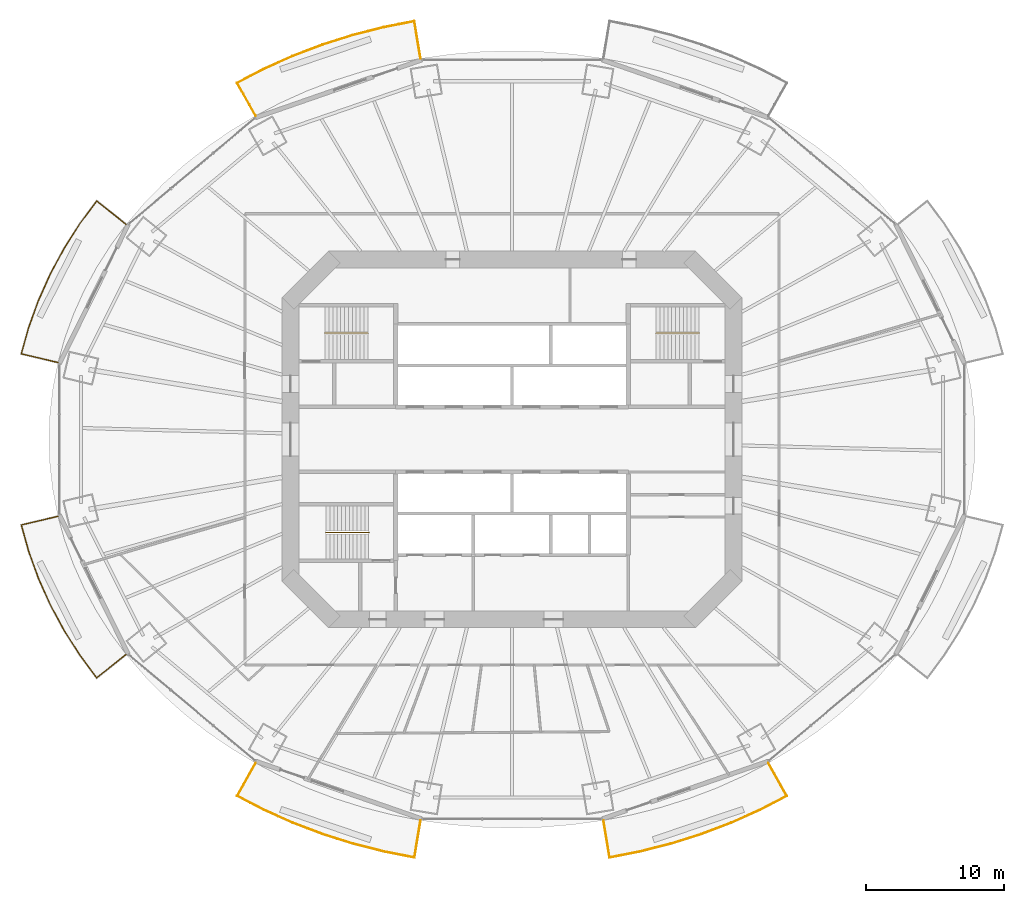
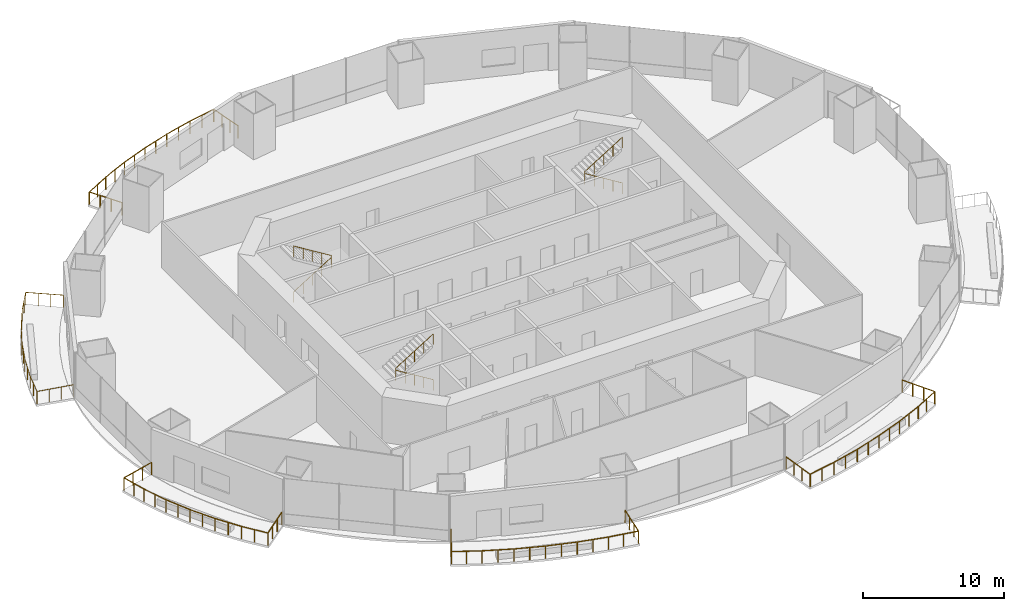
# One storey, part 16 of 18: 8 railings.
"""IFC4 building model written with IfcOpenShell, lengths in metres."""

import ifcopenshell
import ifcopenshell.guid

model = None  # the IFC model being written
_history = None  # IfcOwnerHistory: only IFC2X3 demands one
_inside = {}  # id of a spatial element -> (the spatial element, [elements in it])
_under = {}  # id of a project, library or spatial element -> (it, [spatial elements below it])
_declared = {}  # id of a project -> (the project, [libraries it declares])
_typed = {}  # id of a type object -> (the type object, [elements of that type])
_made_of = {}  # id of a material, layer set ... -> (it, [elements and type objects made of it])


def new_model(schema):
    """Start an empty IFC model of exactly this schema.

    Asked for "IFC4X3", IfcOpenShell would pick the latest addendum, in which some entities
    have other attributes; the version numbers below select the first issue.
    IFC2X3 requires an IfcOwnerHistory on every rooted entity: one is made here for all.
    """
    global model, _history
    if schema == "IFC4X3":
        model = ifcopenshell.file(schema_version=(4, 3, 0, 0))
    else:
        model = ifcopenshell.file(schema=schema)
    _inside.clear()
    _under.clear()
    _declared.clear()
    _typed.clear()
    _made_of.clear()
    _history = None
    if model.schema == "IFC2X3":
        org = make("IfcOrganization", Name="unknown")
        user = make(
            "IfcPersonAndOrganization",
            ThePerson=make("IfcPerson", FamilyName="unknown"),
            TheOrganization=org,
        )
        app = make(
            "IfcApplication",
            ApplicationDeveloper=org,
            Version="unknown",
            ApplicationFullName="unknown",
            ApplicationIdentifier="unknown",
        )
        _history = make(
            "IfcOwnerHistory",
            OwningUser=user,
            OwningApplication=app,
            ChangeAction="ADDED",
            CreationDate=0,
        )
    return model


def make(cls, **values):
    """One entity of the class cls with the attributes given. An attribute that is None is left unset."""
    return model.create_entity(
        cls, **{name: value for name, value in values.items() if value is not None}
    )


def rooted(cls, **values):
    """An entity with a GlobalId (a new one), such as an element, a storey or a relation."""
    return make(cls, GlobalId=ifcopenshell.guid.new(), OwnerHistory=_history, **values)


def si_unit(unit_type, name, prefix=None):
    """IfcSIUnit, for example si_unit("LENGTHUNIT", "METRE", prefix="MILLI")."""
    return make("IfcSIUnit", UnitType=unit_type, Prefix=prefix, Name=name)


def assignment(units):
    """IfcUnitAssignment: the units of a project."""
    return None if units is None else make("IfcUnitAssignment", Units=units)


def point(xyz):
    """IfcCartesianPoint."""
    return None if xyz is None else make("IfcCartesianPoint", Coordinates=xyz)


def direction(xyz):
    """IfcDirection."""
    return None if xyz is None else make("IfcDirection", DirectionRatios=xyz)


def frame(location, z_axis=None, x_axis=None):
    """IfcAxis2Placement3D, a coordinate frame: its origin and axes. An axis left out is left unset."""
    return make(
        "IfcAxis2Placement3D",
        Location=point(location),
        Axis=direction(z_axis),
        RefDirection=direction(x_axis),
    )


def frame_2d(location, x_axis=None):
    """IfcAxis2Placement2D, a coordinate frame in the plane: its origin and x axis."""
    return make(
        "IfcAxis2Placement2D", Location=point(location), RefDirection=direction(x_axis)
    )


def origin():
    """The frame at (0, 0, 0) with its axes left unset."""
    return frame((0.0, 0.0, 0.0))


def origin_2d():
    """The frame at (0, 0) in the plane with its x axis left unset."""
    return frame_2d((0.0, 0.0))


def place(relative_to, where):
    """IfcLocalPlacement: puts the frame where relative to a parent placement (None: the world)."""
    return make(
        "IfcLocalPlacement", PlacementRelTo=relative_to, RelativePlacement=where
    )


def context(
    kind, dimensions, precision=None, world=None, true_north=None, identifier=None
):
    """IfcGeometricRepresentationContext, for example the 3D "Model" context."""
    return make(
        "IfcGeometricRepresentationContext",
        ContextIdentifier=identifier,
        ContextType=kind,
        CoordinateSpaceDimension=dimensions,
        Precision=precision,
        WorldCoordinateSystem=world,
        TrueNorth=true_north,
    )


def subcontext(parent, identifier, kind, view, scale=None):
    """IfcGeometricRepresentationSubContext, for example "Body" below "Model"."""
    return make(
        "IfcGeometricRepresentationSubContext",
        ContextIdentifier=identifier,
        ContextType=kind,
        ParentContext=parent,
        TargetScale=scale,
        TargetView=view,
    )


def project(units=None, contexts=None):
    """IfcProject with its units and contexts."""
    return rooted(
        "IfcProject",
        Name="project",
        RepresentationContexts=contexts,
        UnitsInContext=assignment(units),
    )


def spatial(cls, under=None, at=None, **own):
    """A site, building, storey or space (cls), placed at a placement, below another one or the project."""
    s = rooted(cls, ObjectPlacement=at, **own)
    if under is not None:
        _under.setdefault(under.id(), (under, []))[1].append(s)
    return s


def profile(cls, at=None, kind="AREA", **sizes):
    """A parametric profile (cls). Its sizes go by their IFC names, for example OverallWidth=200.0."""
    return make(cls, ProfileType=kind, Position=at, **sizes)


def circle(**sizes):
    """IfcCircleProfileDef."""
    return profile("IfcCircleProfileDef", **sizes)


def extrude(swept, where, along, depth):
    """IfcExtrudedAreaSolid: the profile swept, set in the frame where, extruded along a direction by depth."""
    return make(
        "IfcExtrudedAreaSolid",
        SweptArea=swept,
        Position=where,
        ExtrudedDirection=direction(along),
        Depth=depth,
    )


def shape(context_of_items, identifier, shape_type, items):
    """IfcShapeRepresentation: the items that make up one representation, for example the "Body"."""
    return make(
        "IfcShapeRepresentation",
        ContextOfItems=context_of_items,
        RepresentationIdentifier=identifier,
        RepresentationType=shape_type,
        Items=items,
    )


def material(Name=None, Category=None):
    """IfcMaterial."""
    return make("IfcMaterial", Name=Name, Category=Category)


def made_of(thing, what):
    """Note that an element or type object is made of a material, layer set ...; save() writes the relation."""
    if what is not None:
        _made_of.setdefault(what.id(), (what, []))[1].append(thing)
    return thing


def type_object(cls, material=None, **own):
    """A type object (cls), such as IfcWallType, which elements share."""
    return made_of(rooted(cls, **own), material)


def element(
    cls,
    number,
    at=None,
    inside=None,
    cuts=None,
    type_object=None,
    material=None,
    context=None,
    identifier="Body",
    shape_type=None,
    held_by="IfcProductDefinitionShape",
    body=None,
    shapes=None,
    **own,
):
    """One element of the class cls, such as IfcWall. Its Tag is "e" and its number.

    at: its placement. inside: the storey or other place that contains it. cuts: it is an
    opening in that element (IfcRelVoidsElement). A single representation is given by context,
    identifier, shape_type and body (its items); several are given by shapes. held_by: the class
    of the entity that holds the representations. save() writes the other relations.
    """
    e = rooted(cls, Tag="e%d" % number, ObjectPlacement=at, **own)
    if body is not None:
        shapes = [shape(context, identifier, shape_type, body)]
    if shapes is not None:
        e.Representation = make(held_by, Representations=shapes)
    if inside is not None:
        _inside.setdefault(inside.id(), (inside, []))[1].append(e)
    if cuts is not None:
        rooted(
            "IfcRelVoidsElement", RelatingBuildingElement=cuts, RelatedOpeningElement=e
        )
    if type_object is not None:
        _typed.setdefault(type_object.id(), (type_object, []))[1].append(e)
    return made_of(e, material)


def aggregate(whole, parts):
    """IfcRelAggregates: a whole, such as a stair, and the parts it consists of."""
    return rooted("IfcRelAggregates", RelatingObject=whole, RelatedObjects=parts)


def save(model, path):
    """Write the relations noted so far, then the file.

    IfcRelAggregates (storeys below a building ...), IfcRelContainedInSpatialStructure (elements
    in a storey), IfcRelDefinesByType, IfcRelAssociatesMaterial and IfcRelDeclares: one each for
    every whole, place, type object, material and project.
    """
    for whole, parts in _under.values():
        aggregate(whole, parts)
    for where, things in _inside.values():
        rooted(
            "IfcRelContainedInSpatialStructure",
            RelatedElements=things,
            RelatingStructure=where,
        )
    for kind, things in _typed.values():
        rooted("IfcRelDefinesByType", RelatedObjects=things, RelatingType=kind)
    for what, things in _made_of.values():
        rooted("IfcRelAssociatesMaterial", RelatedObjects=things, RelatingMaterial=what)
    for by, libraries in _declared.values():
        rooted("IfcRelDeclares", RelatingContext=by, RelatedDefinitions=libraries)
    model.write(path)


model = new_model("IFC4")

# Units and contexts
model_context = context("Model", 3, precision=1e-05, world=origin(), true_north=direction((0.0, 1.0)))
body_context = subcontext(model_context, "Body", "Model", "MODEL_VIEW")
ifc_project = project(units=[si_unit("LENGTHUNIT", "METRE"), si_unit("AREAUNIT", "SQUARE_METRE"), si_unit("VOLUMEUNIT", "CUBIC_METRE"), si_unit("PLANEANGLEUNIT", "RADIAN"), si_unit("MASSUNIT", "GRAM", prefix="KILO")], contexts=[model_context])

# Site, building, storey
site_placement = place(None, origin())
site = spatial("IfcSite", under=ifc_project, at=site_placement, CompositionType="ELEMENT")
building_placement = place(site_placement, origin())
building = spatial("IfcBuilding", under=site, at=building_placement, Name="Marenthal Gate Tower", CompositionType="ELEMENT")
storey_placement = place(building_placement, frame((0.0, 0.0, 140.89990234375)))
storey = spatial("IfcBuildingStorey", under=building, at=storey_placement, Name="L30", CompositionType="ELEMENT", Elevation=140.89990234375)

# Railings
ifc_material_1 = material(Name="Stainless steel", Category="steel")
railing_type_1 = type_object("IfcRailingType", Name="Balcony guard 1100", PredefinedType="GUARDRAIL", material=ifc_material_1)
railing_1_placement = place(storey_placement, frame((-18.520751953125, 23.38427734375, 0.0)))
element("IfcRailing", 1, at=railing_1_placement, inside=storey, type_object=railing_type_1, Name="Balcony guard L30 bay 5", PredefinedType="GUARDRAIL", context=body_context, shape_type="SweptSolid", body=[
    extrude(circle(Radius=0.02392578125, at=origin_2d()), frame((0.0, 0.0, 1.076171875), z_axis=(-0.489305177168, 0.871989930551, -0.014628896529), x_axis=(-0.872083250464, -0.489357542356, 0.0)), (0.0, 0.0, 1.0), 2.72021484375),
    extrude(circle(Radius=0.02392578125, at=origin_2d()), frame((-1.3310546875, 2.3720703125, 1.0361328125), z_axis=(0.887053580422, 0.461666487261, 0.0), x_axis=(-0.461666487261, 0.887053580422, 0.0)), (0.0, 0.0, 1.0), 2.180419921875),
    extrude(circle(Radius=0.02392578125, at=origin_2d()), frame((0.60302734375, 3.378662109375, 1.0361328125), z_axis=(0.912426484208, 0.409240651591, 0.0), x_axis=(-0.409240651591, 0.912426484208, 0.0)), (0.0, 0.0, 1.0), 2.276611328125),
    extrude(circle(Radius=0.02392578125, at=origin_2d()), frame((2.68017578125, 4.310302734375, 1.0361328125), z_axis=(0.934725540452, 0.355370460261, 0.0), x_axis=(-0.355370460261, 0.934725540452, 0.0)), (0.0, 0.0, 1.0), 2.291259765625),
    extrude(circle(Radius=0.02392578125, at=origin_2d()), frame((4.82177734375, 5.12451171875, 1.0361328125), z_axis=(0.953555439672, 0.301217568332, 0.0), x_axis=(-0.301217568332, 0.953555439672, 0.0)), (0.0, 0.0, 1.0), 2.30419921875),
    extrude(circle(Radius=0.02392578125, at=origin_2d()), frame((7.01904296875, 5.818603515625, 1.0361328125), z_axis=(0.969110463154, 0.246627067057, 0.0), x_axis=(-0.246627067057, 0.969110463154, 0.0)), (0.0, 0.0, 1.0), 2.3154296875),
    extrude(circle(Radius=0.02392578125, at=origin_2d()), frame((9.262939453125, 6.3896484375, 1.0361328125), z_axis=(0.981190742026, 0.193040741199, 0.0), x_axis=(-0.193040741199, 0.981190742026, 0.0)), (0.0, 0.0, 1.0), 2.244873046875),
    extrude(circle(Radius=0.02392578125, at=origin_2d()), frame((11.465576171875, 6.822998046875, 1.0361328125), z_axis=(0.164774326367, -0.986222806342, 0.014628657515), x_axis=(0.986328347949, 0.164791959854, 0.0)), (0.0, 0.0, 1.0), 2.720458984375),
    extrude(circle(Radius=0.02099609375, at=origin_2d()), origin(), (0.0, 0.0, 1.0), 1.052001953125),
    extrude(circle(Radius=0.02099609375, at=origin_2d()), frame((-0.443603515625, 0.790771484375, -0.01318359375)), (0.0, 0.0, 1.0), 1.052001953125),
    extrude(circle(Radius=0.02099609375, at=origin_2d()), frame((-0.887451171875, 1.581298828125, -0.026611328125)), (0.0, 0.0, 1.0), 1.052001953125),
    extrude(circle(Radius=0.02099609375, at=origin_2d()), frame((-1.3310546875, 2.3720703125, -0.039794921875)), (0.0, 0.0, 1.0), 1.052001953125),
    extrude(circle(Radius=0.02099609375, at=origin_2d()), frame((-0.364013671875, 2.87548828125, -0.039794921875)), (0.0, 0.0, 1.0), 1.052001953125),
    extrude(circle(Radius=0.02099609375, at=origin_2d()), frame((0.60302734375, 3.378662109375, -0.039794921875)), (0.0, 0.0, 1.0), 1.052001953125),
    extrude(circle(Radius=0.02099609375, at=origin_2d()), frame((1.6416015625, 3.844482421875, -0.039794921875)), (0.0, 0.0, 1.0), 1.052001953125),
    extrude(circle(Radius=0.02099609375, at=origin_2d()), frame((2.68017578125, 4.310302734375, -0.039794921875)), (0.0, 0.0, 1.0), 1.052001953125),
    extrude(circle(Radius=0.02099609375, at=origin_2d()), frame((3.7509765625, 4.71728515625, -0.039794921875)), (0.0, 0.0, 1.0), 1.052001953125),
    extrude(circle(Radius=0.02099609375, at=origin_2d()), frame((4.82177734375, 5.12451171875, -0.039794921875)), (0.0, 0.0, 1.0), 1.052001953125),
    extrude(circle(Radius=0.02099609375, at=origin_2d()), frame((5.92041015625, 5.4716796875, -0.039794921875)), (0.0, 0.0, 1.0), 1.052001953125),
    extrude(circle(Radius=0.02099609375, at=origin_2d()), frame((7.01904296875, 5.818603515625, -0.039794921875)), (0.0, 0.0, 1.0), 1.052001953125),
    extrude(circle(Radius=0.02099609375, at=origin_2d()), frame((8.14111328125, 6.10400390625, -0.039794921875)), (0.0, 0.0, 1.0), 1.052001953125),
    extrude(circle(Radius=0.02099609375, at=origin_2d()), frame((9.262939453125, 6.3896484375, -0.039794921875)), (0.0, 0.0, 1.0), 1.052001953125),
    extrude(circle(Radius=0.02099609375, at=origin_2d()), frame((10.3642578125, 6.6064453125, -0.039794921875)), (0.0, 0.0, 1.0), 1.052001953125),
    extrude(circle(Radius=0.02099609375, at=origin_2d()), frame((11.465576171875, 6.822998046875, -0.039794921875)), (0.0, 0.0, 1.0), 1.052001953125),
    extrude(circle(Radius=0.02099609375, at=origin_2d()), frame((11.614990234375, 5.9287109375, -0.026611328125)), (0.0, 0.0, 1.0), 1.052001953125),
    extrude(circle(Radius=0.02099609375, at=origin_2d()), frame((11.764404296875, 5.034423828125, -0.01318359375)), (0.0, 0.0, 1.0), 1.052001953125),
    extrude(circle(Radius=0.02099609375, at=origin_2d()), frame((11.913818359375, 4.14013671875, 0.0)), (0.0, 0.0, 1.0), 1.052001953125),
])
railing_2_placement = place(storey_placement, frame((-32.800537109375, 5.555419921875, 0.0)))
element("IfcRailing", 2, at=railing_2_placement, inside=storey, type_object=railing_type_1, Name="Balcony guard L30 bay 7", PredefinedType="GUARDRAIL", context=body_context, shape_type="SweptSolid", body=[
    extrude(circle(Radius=0.02392578125, at=origin_2d()), frame((0.0, 0.0, 1.076171875), z_axis=(-0.972968211955, 0.230475266885, -0.01462907652), x_axis=(-0.230499932836, -0.973072341074, 0.0)), (0.0, 0.0, 1.0), 2.72021484375),
    extrude(circle(Radius=0.02392578125, at=origin_2d()), frame((-2.646728515625, 0.626953125, 1.0361328125), z_axis=(0.269159912303, 0.963095499735, 0.0), x_axis=(-0.963095499735, 0.269159912303, 0.0)), (0.0, 0.0, 1.0), 1.984619140625),
    extrude(circle(Radius=0.02392578125, at=origin_2d()), frame((-2.112548828125, 2.538330078125, 1.0361328125), z_axis=(0.339927901039, 0.940451499066, 0.0), x_axis=(-0.940451499066, 0.339927901039, 0.0)), (0.0, 0.0, 1.0), 2.07421875),
    extrude(circle(Radius=0.02392578125, at=origin_2d()), frame((-1.407470703125, 4.489013671875, 1.0361328125), z_axis=(0.409274320643, 0.912411382252, 0.0), x_axis=(-0.912411382252, 0.409274320643, 0.0)), (0.0, 0.0, 1.0), 2.0859375),
    extrude(circle(Radius=0.02392578125, at=origin_2d()), frame((-0.5537109375, 6.392333984375, 1.0361328125), z_axis=(0.475084098287, 0.879940395456, 0.0), x_axis=(-0.879940395456, 0.475084098287, 0.0)), (0.0, 0.0, 1.0), 2.099853515625),
    extrude(circle(Radius=0.02392578125, at=origin_2d()), frame((0.44384765625, 8.239990234375, 1.0361328125), z_axis=(0.537211554798, 0.843447535649, 0.0), x_axis=(-0.843447535649, 0.537211554798, 0.0)), (0.0, 0.0, 1.0), 2.114990234375),
    extrude(circle(Radius=0.02392578125, at=origin_2d()), frame((1.580078125, 10.02392578125, 1.0361328125), z_axis=(0.594330839548, 0.80422064955, 0.0), x_axis=(-0.80422064955, 0.594330839548, 0.0)), (0.0, 0.0, 1.0), 2.0517578125),
    extrude(circle(Radius=0.02392578125, at=origin_2d()), frame((2.799560546875, 11.674072265625, 1.0361328125), z_axis=(0.782498431461, -0.622480688222, 0.014628655159), x_axis=(0.622547303586, 0.782582171275, 0.0)), (0.0, 0.0, 1.0), 2.720458984375),
    extrude(circle(Radius=0.02099609375, at=origin_2d()), origin(), (0.0, 0.0, 1.0), 1.052001953125),
    extrude(circle(Radius=0.02099609375, at=origin_2d()), frame((-0.88232421875, 0.208984375, -0.01318359375)), (0.0, 0.0, 1.0), 1.052001953125),
    extrude(circle(Radius=0.02099609375, at=origin_2d()), frame((-1.764404296875, 0.41796875, -0.026611328125)), (0.0, 0.0, 1.0), 1.052001953125),
    extrude(circle(Radius=0.02099609375, at=origin_2d()), frame((-2.646728515625, 0.626953125, -0.039794921875)), (0.0, 0.0, 1.0), 1.052001953125),
    extrude(circle(Radius=0.02099609375, at=origin_2d()), frame((-2.379638671875, 1.58251953125, -0.039794921875)), (0.0, 0.0, 1.0), 1.052001953125),
    extrude(circle(Radius=0.02099609375, at=origin_2d()), frame((-2.112548828125, 2.538330078125, -0.039794921875)), (0.0, 0.0, 1.0), 1.052001953125),
    extrude(circle(Radius=0.02099609375, at=origin_2d()), frame((-1.760009765625, 3.513671875, -0.039794921875)), (0.0, 0.0, 1.0), 1.052001953125),
    extrude(circle(Radius=0.02099609375, at=origin_2d()), frame((-1.407470703125, 4.489013671875, -0.039794921875)), (0.0, 0.0, 1.0), 1.052001953125),
    extrude(circle(Radius=0.02099609375, at=origin_2d()), frame((-0.98046875, 5.440673828125, -0.039794921875)), (0.0, 0.0, 1.0), 1.052001953125),
    extrude(circle(Radius=0.02099609375, at=origin_2d()), frame((-0.5537109375, 6.392333984375, -0.039794921875)), (0.0, 0.0, 1.0), 1.052001953125),
    extrude(circle(Radius=0.02099609375, at=origin_2d()), frame((-0.054931640625, 7.316162109375, -0.039794921875)), (0.0, 0.0, 1.0), 1.052001953125),
    extrude(circle(Radius=0.02099609375, at=origin_2d()), frame((0.44384765625, 8.239990234375, -0.039794921875)), (0.0, 0.0, 1.0), 1.052001953125),
    extrude(circle(Radius=0.02099609375, at=origin_2d()), frame((1.011962890625, 9.1318359375, -0.039794921875)), (0.0, 0.0, 1.0), 1.052001953125),
    extrude(circle(Radius=0.02099609375, at=origin_2d()), frame((1.580078125, 10.02392578125, -0.039794921875)), (0.0, 0.0, 1.0), 1.052001953125),
    extrude(circle(Radius=0.02099609375, at=origin_2d()), frame((2.18994140625, 10.84912109375, -0.039794921875)), (0.0, 0.0, 1.0), 1.052001953125),
    extrude(circle(Radius=0.02099609375, at=origin_2d()), frame((2.799560546875, 11.674072265625, -0.039794921875)), (0.0, 0.0, 1.0), 1.052001953125),
    extrude(circle(Radius=0.02099609375, at=origin_2d()), frame((3.509033203125, 11.109619140625, -0.026611328125)), (0.0, 0.0, 1.0), 1.052001953125),
    extrude(circle(Radius=0.02099609375, at=origin_2d()), frame((4.21875, 10.545166015625, -0.01318359375)), (0.0, 0.0, 1.0), 1.052001953125),
    extrude(circle(Radius=0.02099609375, at=origin_2d()), frame((4.92822265625, 9.980712890625, 0.0)), (0.0, 0.0, 1.0), 1.052001953125),
])
railing_3_placement = place(storey_placement, frame((-27.872314453125, -15.5361328125, 0.0)))
element("IfcRailing", 3, at=railing_3_placement, inside=storey, type_object=railing_type_1, Name="Balcony guard L30 bay 9", PredefinedType="GUARDRAIL", context=body_context, shape_type="SweptSolid", body=[
    extrude(circle(Radius=0.02392578125, at=origin_2d()), frame((0.0, 0.0, 1.076171875), z_axis=(-0.782498431461, -0.622480688222, -0.014628655159), x_axis=(0.622547303586, -0.782582171275, 0.0)), (0.0, 0.0, 1.0), 2.720458984375),
    extrude(circle(Radius=0.02392578125, at=origin_2d()), frame((-2.128662109375, -1.693359375, 1.0361328125), z_axis=(-0.594330839548, 0.80422064955, 0.0), x_axis=(-0.80422064955, -0.594330839548, 0.0)), (0.0, 0.0, 1.0), 2.0517578125),
    extrude(circle(Radius=0.02392578125, at=origin_2d()), frame((-3.34814453125, -0.043212890625, 1.0361328125), z_axis=(-0.537211554798, 0.843447535649, 0.0), x_axis=(-0.843447535649, -0.537211554798, 0.0)), (0.0, 0.0, 1.0), 2.114990234375),
    extrude(circle(Radius=0.02392578125, at=origin_2d()), frame((-4.484375, 1.74072265625, 1.0361328125), z_axis=(-0.475084098287, 0.879940395456, 0.0), x_axis=(-0.879940395456, -0.475084098287, 0.0)), (0.0, 0.0, 1.0), 2.099853515625),
    extrude(circle(Radius=0.02392578125, at=origin_2d()), frame((-5.48193359375, 3.58837890625, 1.0361328125), z_axis=(-0.409274320643, 0.912411382252, 0.0), x_axis=(-0.912411382252, -0.409274320643, 0.0)), (0.0, 0.0, 1.0), 2.0859375),
    extrude(circle(Radius=0.02392578125, at=origin_2d()), frame((-6.335693359375, 5.49169921875, 1.0361328125), z_axis=(-0.339927901039, 0.940451499066, 0.0), x_axis=(-0.940451499066, -0.339927901039, 0.0)), (0.0, 0.0, 1.0), 2.07421875),
    extrude(circle(Radius=0.02392578125, at=origin_2d()), frame((-7.040771484375, 7.4423828125, 1.0361328125), z_axis=(-0.269159912303, 0.963095499735, 0.0), x_axis=(-0.963095499735, -0.269159912303, 0.0)), (0.0, 0.0, 1.0), 1.984619140625),
    extrude(circle(Radius=0.02392578125, at=origin_2d()), frame((-7.574951171875, 9.353759765625, 1.0361328125), z_axis=(0.972968211955, 0.230475266885, 0.01462907652), x_axis=(-0.230499932836, 0.973072341074, 0.0)), (0.0, 0.0, 1.0), 2.72021484375),
    extrude(circle(Radius=0.02099609375, at=origin_2d()), origin(), (0.0, 0.0, 1.0), 1.052001953125),
    extrude(circle(Radius=0.02099609375, at=origin_2d()), frame((-0.70947265625, -0.564453125, -0.01318359375)), (0.0, 0.0, 1.0), 1.052001953125),
    extrude(circle(Radius=0.02099609375, at=origin_2d()), frame((-1.419189453125, -1.12890625, -0.026611328125)), (0.0, 0.0, 1.0), 1.052001953125),
    extrude(circle(Radius=0.02099609375, at=origin_2d()), frame((-2.128662109375, -1.693359375, -0.039794921875)), (0.0, 0.0, 1.0), 1.052001953125),
    extrude(circle(Radius=0.02099609375, at=origin_2d()), frame((-2.73828125, -0.8681640625, -0.039794921875)), (0.0, 0.0, 1.0), 1.052001953125),
    extrude(circle(Radius=0.02099609375, at=origin_2d()), frame((-3.34814453125, -0.043212890625, -0.039794921875)), (0.0, 0.0, 1.0), 1.052001953125),
    extrude(circle(Radius=0.02099609375, at=origin_2d()), frame((-3.916259765625, 0.8486328125, -0.039794921875)), (0.0, 0.0, 1.0), 1.052001953125),
    extrude(circle(Radius=0.02099609375, at=origin_2d()), frame((-4.484375, 1.74072265625, -0.039794921875)), (0.0, 0.0, 1.0), 1.052001953125),
    extrude(circle(Radius=0.02099609375, at=origin_2d()), frame((-4.983154296875, 2.66455078125, -0.039794921875)), (0.0, 0.0, 1.0), 1.052001953125),
    extrude(circle(Radius=0.02099609375, at=origin_2d()), frame((-5.48193359375, 3.58837890625, -0.039794921875)), (0.0, 0.0, 1.0), 1.052001953125),
    extrude(circle(Radius=0.02099609375, at=origin_2d()), frame((-5.90869140625, 4.5400390625, -0.039794921875)), (0.0, 0.0, 1.0), 1.052001953125),
    extrude(circle(Radius=0.02099609375, at=origin_2d()), frame((-6.335693359375, 5.49169921875, -0.039794921875)), (0.0, 0.0, 1.0), 1.052001953125),
    extrude(circle(Radius=0.02099609375, at=origin_2d()), frame((-6.688232421875, 6.467041015625, -0.039794921875)), (0.0, 0.0, 1.0), 1.052001953125),
    extrude(circle(Radius=0.02099609375, at=origin_2d()), frame((-7.040771484375, 7.4423828125, -0.039794921875)), (0.0, 0.0, 1.0), 1.052001953125),
    extrude(circle(Radius=0.02099609375, at=origin_2d()), frame((-7.307861328125, 8.39794921875, -0.039794921875)), (0.0, 0.0, 1.0), 1.052001953125),
    extrude(circle(Radius=0.02099609375, at=origin_2d()), frame((-7.574951171875, 9.353759765625, -0.039794921875)), (0.0, 0.0, 1.0), 1.052001953125),
    extrude(circle(Radius=0.02099609375, at=origin_2d()), frame((-6.692626953125, 9.562744140625, -0.026611328125)), (0.0, 0.0, 1.0), 1.052001953125),
    extrude(circle(Radius=0.02099609375, at=origin_2d()), frame((-5.810546875, 9.771728515625, -0.01318359375)), (0.0, 0.0, 1.0), 1.052001953125),
    extrude(circle(Radius=0.02099609375, at=origin_2d()), frame((-4.92822265625, 9.980712890625, 0.0)), (0.0, 0.0, 1.0), 1.052001953125),
])
railing_4_placement = place(storey_placement, frame((-6.60693359375, -27.5244140625, 0.0)))
element("IfcRailing", 4, at=railing_4_placement, inside=storey, type_object=railing_type_1, Name="Balcony guard L30 bay 11", PredefinedType="GUARDRAIL", context=body_context, shape_type="SweptSolid", body=[
    extrude(circle(Radius=0.02392578125, at=origin_2d()), frame((0.0, 0.0, 1.076171875), z_axis=(-0.164774326367, -0.986222806342, -0.014628657515), x_axis=(0.986328347949, -0.164791959854, 0.0)), (0.0, 0.0, 1.0), 2.720458984375),
    extrude(circle(Radius=0.02392578125, at=origin_2d()), frame((-0.4482421875, -2.682861328125, 1.0361328125), z_axis=(-0.981190742026, 0.193040741199, 0.0), x_axis=(-0.193040741199, -0.981190742026, 0.0)), (0.0, 0.0, 1.0), 2.244873046875),
    extrude(circle(Radius=0.02392578125, at=origin_2d()), frame((-2.65087890625, -2.24951171875, 1.0361328125), z_axis=(-0.969110463154, 0.246627067057, 0.0), x_axis=(-0.246627067057, -0.969110463154, 0.0)), (0.0, 0.0, 1.0), 2.3154296875),
    extrude(circle(Radius=0.02392578125, at=origin_2d()), frame((-4.894775390625, -1.678466796875, 1.0361328125), z_axis=(-0.953555439672, 0.301217568332, 0.0), x_axis=(-0.301217568332, -0.953555439672, 0.0)), (0.0, 0.0, 1.0), 2.30419921875),
    extrude(circle(Radius=0.02392578125, at=origin_2d()), frame((-7.092041015625, -0.984375, 1.0361328125), z_axis=(-0.934725540452, 0.355370460261, 0.0), x_axis=(-0.355370460261, -0.934725540452, 0.0)), (0.0, 0.0, 1.0), 2.291259765625),
    extrude(circle(Radius=0.02392578125, at=origin_2d()), frame((-9.233642578125, -0.170166015625, 1.0361328125), z_axis=(-0.912426484208, 0.409240651591, 0.0), x_axis=(-0.409240651591, -0.912426484208, 0.0)), (0.0, 0.0, 1.0), 2.276611328125),
    extrude(circle(Radius=0.02392578125, at=origin_2d()), frame((-11.310791015625, 0.761474609375, 1.0361328125), z_axis=(-0.887053580422, 0.461666487261, 0.0), x_axis=(-0.461666487261, -0.887053580422, 0.0)), (0.0, 0.0, 1.0), 2.180419921875),
    extrude(circle(Radius=0.02392578125, at=origin_2d()), frame((-13.244873046875, 1.76806640625, 1.0361328125), z_axis=(0.489305177168, 0.871989930551, 0.014628896529), x_axis=(-0.872083250464, 0.489357542356, 0.0)), (0.0, 0.0, 1.0), 2.72021484375),
    extrude(circle(Radius=0.02099609375, at=origin_2d()), origin(), (0.0, 0.0, 1.0), 1.052001953125),
    extrude(circle(Radius=0.02099609375, at=origin_2d()), frame((-0.1494140625, -0.894287109375, -0.01318359375)), (0.0, 0.0, 1.0), 1.052001953125),
    extrude(circle(Radius=0.02099609375, at=origin_2d()), frame((-0.298828125, -1.78857421875, -0.026611328125)), (0.0, 0.0, 1.0), 1.052001953125),
    extrude(circle(Radius=0.02099609375, at=origin_2d()), frame((-0.4482421875, -2.682861328125, -0.039794921875)), (0.0, 0.0, 1.0), 1.052001953125),
    extrude(circle(Radius=0.02099609375, at=origin_2d()), frame((-1.549560546875, -2.46630859375, -0.039794921875)), (0.0, 0.0, 1.0), 1.052001953125),
    extrude(circle(Radius=0.02099609375, at=origin_2d()), frame((-2.65087890625, -2.24951171875, -0.039794921875)), (0.0, 0.0, 1.0), 1.052001953125),
    extrude(circle(Radius=0.02099609375, at=origin_2d()), frame((-3.77294921875, -1.9638671875, -0.039794921875)), (0.0, 0.0, 1.0), 1.052001953125),
    extrude(circle(Radius=0.02099609375, at=origin_2d()), frame((-4.894775390625, -1.678466796875, -0.039794921875)), (0.0, 0.0, 1.0), 1.052001953125),
    extrude(circle(Radius=0.02099609375, at=origin_2d()), frame((-5.993408203125, -1.33154296875, -0.039794921875)), (0.0, 0.0, 1.0), 1.052001953125),
    extrude(circle(Radius=0.02099609375, at=origin_2d()), frame((-7.092041015625, -0.984375, -0.039794921875)), (0.0, 0.0, 1.0), 1.052001953125),
    extrude(circle(Radius=0.02099609375, at=origin_2d()), frame((-8.162841796875, -0.5771484375, -0.039794921875)), (0.0, 0.0, 1.0), 1.052001953125),
    extrude(circle(Radius=0.02099609375, at=origin_2d()), frame((-9.233642578125, -0.170166015625, -0.039794921875)), (0.0, 0.0, 1.0), 1.052001953125),
    extrude(circle(Radius=0.02099609375, at=origin_2d()), frame((-10.272216796875, 0.295654296875, -0.039794921875)), (0.0, 0.0, 1.0), 1.052001953125),
    extrude(circle(Radius=0.02099609375, at=origin_2d()), frame((-11.310791015625, 0.761474609375, -0.039794921875)), (0.0, 0.0, 1.0), 1.052001953125),
    extrude(circle(Radius=0.02099609375, at=origin_2d()), frame((-12.27783203125, 1.2646484375, -0.039794921875)), (0.0, 0.0, 1.0), 1.052001953125),
    extrude(circle(Radius=0.02099609375, at=origin_2d()), frame((-13.244873046875, 1.76806640625, -0.039794921875)), (0.0, 0.0, 1.0), 1.052001953125),
    extrude(circle(Radius=0.02099609375, at=origin_2d()), frame((-12.80126953125, 2.558837890625, -0.026611328125)), (0.0, 0.0, 1.0), 1.052001953125),
    extrude(circle(Radius=0.02099609375, at=origin_2d()), frame((-12.357421875, 3.349365234375, -0.01318359375)), (0.0, 0.0, 1.0), 1.052001953125),
    extrude(circle(Radius=0.02099609375, at=origin_2d()), frame((-11.913818359375, 4.14013671875, 0.0)), (0.0, 0.0, 1.0), 1.052001953125),
])
railing_5_placement = place(storey_placement, frame((18.520751953125, -23.38427734375, 0.0)))
element("IfcRailing", 5, at=railing_5_placement, inside=storey, type_object=railing_type_1, Name="Balcony guard L30 bay 13", PredefinedType="GUARDRAIL", context=body_context, shape_type="SweptSolid", body=[
    extrude(circle(Radius=0.02392578125, at=origin_2d()), frame((0.0, 0.0, 1.076171875), z_axis=(0.489305177168, -0.871989930551, -0.014628896529), x_axis=(0.872083250464, 0.489357542356, 0.0)), (0.0, 0.0, 1.0), 2.72021484375),
    extrude(circle(Radius=0.02392578125, at=origin_2d()), frame((1.3310546875, -2.3720703125, 1.0361328125), z_axis=(-0.887053580422, -0.461666487261, 0.0), x_axis=(0.461666487261, -0.887053580422, 0.0)), (0.0, 0.0, 1.0), 2.180419921875),
    extrude(circle(Radius=0.02392578125, at=origin_2d()), frame((-0.60302734375, -3.378662109375, 1.0361328125), z_axis=(-0.912426484208, -0.409240651591, 0.0), x_axis=(0.409240651591, -0.912426484208, 0.0)), (0.0, 0.0, 1.0), 2.276611328125),
    extrude(circle(Radius=0.02392578125, at=origin_2d()), frame((-2.68017578125, -4.310302734375, 1.0361328125), z_axis=(-0.934725540452, -0.355370460261, 0.0), x_axis=(0.355370460261, -0.934725540452, 0.0)), (0.0, 0.0, 1.0), 2.291259765625),
    extrude(circle(Radius=0.02392578125, at=origin_2d()), frame((-4.82177734375, -5.12451171875, 1.0361328125), z_axis=(-0.953555439672, -0.301217568332, 0.0), x_axis=(0.301217568332, -0.953555439672, 0.0)), (0.0, 0.0, 1.0), 2.30419921875),
    extrude(circle(Radius=0.02392578125, at=origin_2d()), frame((-7.01904296875, -5.818603515625, 1.0361328125), z_axis=(-0.969110463154, -0.246627067057, 0.0), x_axis=(0.246627067057, -0.969110463154, 0.0)), (0.0, 0.0, 1.0), 2.3154296875),
    extrude(circle(Radius=0.02392578125, at=origin_2d()), frame((-9.262939453125, -6.3896484375, 1.0361328125), z_axis=(-0.981190742026, -0.193040741199, 0.0), x_axis=(0.193040741199, -0.981190742026, 0.0)), (0.0, 0.0, 1.0), 2.244873046875),
    extrude(circle(Radius=0.02392578125, at=origin_2d()), frame((-11.465576171875, -6.822998046875, 1.0361328125), z_axis=(-0.164774326367, 0.986222806342, 0.014628657515), x_axis=(-0.986328347949, -0.164791959854, 0.0)), (0.0, 0.0, 1.0), 2.720458984375),
    extrude(circle(Radius=0.02099609375, at=origin_2d()), origin(), (0.0, 0.0, 1.0), 1.052001953125),
    extrude(circle(Radius=0.02099609375, at=origin_2d()), frame((0.443603515625, -0.790771484375, -0.01318359375)), (0.0, 0.0, 1.0), 1.052001953125),
    extrude(circle(Radius=0.02099609375, at=origin_2d()), frame((0.887451171875, -1.581298828125, -0.026611328125)), (0.0, 0.0, 1.0), 1.052001953125),
    extrude(circle(Radius=0.02099609375, at=origin_2d()), frame((1.3310546875, -2.3720703125, -0.039794921875)), (0.0, 0.0, 1.0), 1.052001953125),
    extrude(circle(Radius=0.02099609375, at=origin_2d()), frame((0.364013671875, -2.87548828125, -0.039794921875)), (0.0, 0.0, 1.0), 1.052001953125),
    extrude(circle(Radius=0.02099609375, at=origin_2d()), frame((-0.60302734375, -3.378662109375, -0.039794921875)), (0.0, 0.0, 1.0), 1.052001953125),
    extrude(circle(Radius=0.02099609375, at=origin_2d()), frame((-1.6416015625, -3.844482421875, -0.039794921875)), (0.0, 0.0, 1.0), 1.052001953125),
    extrude(circle(Radius=0.02099609375, at=origin_2d()), frame((-2.68017578125, -4.310302734375, -0.039794921875)), (0.0, 0.0, 1.0), 1.052001953125),
    extrude(circle(Radius=0.02099609375, at=origin_2d()), frame((-3.7509765625, -4.71728515625, -0.039794921875)), (0.0, 0.0, 1.0), 1.052001953125),
    extrude(circle(Radius=0.02099609375, at=origin_2d()), frame((-4.82177734375, -5.12451171875, -0.039794921875)), (0.0, 0.0, 1.0), 1.052001953125),
    extrude(circle(Radius=0.02099609375, at=origin_2d()), frame((-5.92041015625, -5.4716796875, -0.039794921875)), (0.0, 0.0, 1.0), 1.052001953125),
    extrude(circle(Radius=0.02099609375, at=origin_2d()), frame((-7.01904296875, -5.818603515625, -0.039794921875)), (0.0, 0.0, 1.0), 1.052001953125),
    extrude(circle(Radius=0.02099609375, at=origin_2d()), frame((-8.14111328125, -6.10400390625, -0.039794921875)), (0.0, 0.0, 1.0), 1.052001953125),
    extrude(circle(Radius=0.02099609375, at=origin_2d()), frame((-9.262939453125, -6.3896484375, -0.039794921875)), (0.0, 0.0, 1.0), 1.052001953125),
    extrude(circle(Radius=0.02099609375, at=origin_2d()), frame((-10.3642578125, -6.6064453125, -0.039794921875)), (0.0, 0.0, 1.0), 1.052001953125),
    extrude(circle(Radius=0.02099609375, at=origin_2d()), frame((-11.465576171875, -6.822998046875, -0.039794921875)), (0.0, 0.0, 1.0), 1.052001953125),
    extrude(circle(Radius=0.02099609375, at=origin_2d()), frame((-11.614990234375, -5.9287109375, -0.026611328125)), (0.0, 0.0, 1.0), 1.052001953125),
    extrude(circle(Radius=0.02099609375, at=origin_2d()), frame((-11.764404296875, -5.034423828125, -0.01318359375)), (0.0, 0.0, 1.0), 1.052001953125),
    extrude(circle(Radius=0.02099609375, at=origin_2d()), frame((-11.913818359375, -4.14013671875, 0.0)), (0.0, 0.0, 1.0), 1.052001953125),
])
ifc_material_2 = material(Name="Stainless steel", Category="steel")
railing_type_2 = type_object("IfcRailingType", Name="Stair handrail", PredefinedType="HANDRAIL", material=ifc_material_2)
railing_6_placement = place(storey_placement, frame((-13.5, 7.675048828125, 0.173095703125)))
element("IfcRailing", 6, at=railing_6_placement, inside=storey, type_object=railing_type_2, Name="Handrail ST1", PredefinedType="HANDRAIL", context=body_context, shape_type="SweptSolid", body=[
    extrude(circle(Radius=0.0224609375, at=origin_2d()), frame((0.0, 0.0, 0.927490234375), z_axis=(0.850835241893, 0.0, 0.525432575268), x_axis=(0.0, 1.0, 0.0)), (0.0, 0.0, 1.0), 3.6201171875),
    extrude(circle(Radius=0.0224609375, at=origin_2d()), frame((3.080078125, 0.0, 2.82958984375), z_axis=(0.0, 0.0, 1.0), x_axis=(1.0, 0.0, 0.0)), (0.0, 0.0, 1.0), 0.1728515625),
    extrude(circle(Radius=0.0224609375, at=origin_2d()), frame((3.080078125, 0.0, 3.00244140625), z_axis=(-0.850835241893, 0.0, 0.525432575268), x_axis=(0.0, -1.0, 0.0)), (0.0, 0.0, 1.0), 3.6201171875),
    extrude(circle(Radius=0.02001953125, at=origin_2d()), origin(), (0.0, 0.0, 1.0), 0.905029296875),
    extrude(circle(Radius=0.02001953125, at=origin_2d()), frame((0.77001953125, 0.0, 0.4755859375)), (0.0, 0.0, 1.0), 0.905029296875),
    extrude(circle(Radius=0.02001953125, at=origin_2d()), frame((1.5400390625, 0.0, 0.951171875)), (0.0, 0.0, 1.0), 0.905029296875),
    extrude(circle(Radius=0.02001953125, at=origin_2d()), frame((2.31005859375, 0.0, 1.426513671875)), (0.0, 0.0, 1.0), 0.905029296875),
    extrude(circle(Radius=0.02001953125, at=origin_2d()), frame((3.080078125, 0.0, 1.902099609375)), (0.0, 0.0, 1.0), 0.905029296875),
    extrude(circle(Radius=0.02001953125, at=origin_2d()), frame((3.080078125, 0.0, 2.074951171875)), (0.0, 0.0, 1.0), 0.905029296875),
    extrude(circle(Radius=0.02001953125, at=origin_2d()), frame((2.31005859375, 0.0, 2.550537109375)), (0.0, 0.0, 1.0), 0.905029296875),
    extrude(circle(Radius=0.02001953125, at=origin_2d()), frame((1.5400390625, 0.0, 3.02587890625)), (0.0, 0.0, 1.0), 0.905029296875),
    extrude(circle(Radius=0.02001953125, at=origin_2d()), frame((0.77001953125, 0.0, 3.50146484375)), (0.0, 0.0, 1.0), 0.905029296875),
    extrude(circle(Radius=0.02001953125, at=origin_2d()), frame((0.0, 0.0, 3.97705078125)), (0.0, 0.0, 1.0), 0.905029296875),
])
railing_7_placement = place(storey_placement, frame((-10.35009765625, -6.72509765625, 0.173095703125)))
element("IfcRailing", 7, at=railing_7_placement, inside=storey, type_object=railing_type_2, Name="Handrail ST2", PredefinedType="HANDRAIL", context=body_context, shape_type="SweptSolid", body=[
    extrude(circle(Radius=0.0224609375, at=origin_2d()), frame((0.0, 0.0, 0.927490234375), z_axis=(-0.850816621229, 0.0, 0.525462726595), x_axis=(0.0, -1.0, 0.0)), (0.0, 0.0, 1.0), 3.619873046875),
    extrude(circle(Radius=0.0224609375, at=origin_2d()), frame((-3.079833984375, 0.0, 2.82958984375), z_axis=(0.0, 0.0, 1.0), x_axis=(1.0, 0.0, 0.0)), (0.0, 0.0, 1.0), 0.1728515625),
    extrude(circle(Radius=0.0224609375, at=origin_2d()), frame((-3.079833984375, 0.0, 3.00244140625), z_axis=(0.850816621229, 0.0, 0.525462726595), x_axis=(0.0, 1.0, 0.0)), (0.0, 0.0, 1.0), 3.619873046875),
    extrude(circle(Radius=0.02001953125, at=origin_2d()), origin(), (0.0, 0.0, 1.0), 0.905029296875),
    extrude(circle(Radius=0.02001953125, at=origin_2d()), frame((-0.77001953125, 0.0, 0.4755859375)), (0.0, 0.0, 1.0), 0.905029296875),
    extrude(circle(Radius=0.02001953125, at=origin_2d()), frame((-1.5400390625, 0.0, 0.951171875)), (0.0, 0.0, 1.0), 0.905029296875),
    extrude(circle(Radius=0.02001953125, at=origin_2d()), frame((-2.309814453125, 0.0, 1.426513671875)), (0.0, 0.0, 1.0), 0.905029296875),
    extrude(circle(Radius=0.02001953125, at=origin_2d()), frame((-3.079833984375, 0.0, 1.902099609375)), (0.0, 0.0, 1.0), 0.905029296875),
    extrude(circle(Radius=0.02001953125, at=origin_2d()), frame((-3.079833984375, 0.0, 2.074951171875)), (0.0, 0.0, 1.0), 0.905029296875),
    extrude(circle(Radius=0.02001953125, at=origin_2d()), frame((-2.309814453125, 0.0, 2.550537109375)), (0.0, 0.0, 1.0), 0.905029296875),
    extrude(circle(Radius=0.02001953125, at=origin_2d()), frame((-1.5400390625, 0.0, 3.02587890625)), (0.0, 0.0, 1.0), 0.905029296875),
    extrude(circle(Radius=0.02001953125, at=origin_2d()), frame((-0.77001953125, 0.0, 3.50146484375)), (0.0, 0.0, 1.0), 0.905029296875),
    extrude(circle(Radius=0.02001953125, at=origin_2d()), frame((0.0, 0.0, 3.97705078125)), (0.0, 0.0, 1.0), 0.905029296875),
])
railing_8_placement = place(storey_placement, frame((13.5, 7.675048828125, 0.173095703125)))
element("IfcRailing", 8, at=railing_8_placement, inside=storey, type_object=railing_type_2, Name="Handrail ST3", PredefinedType="HANDRAIL", context=body_context, shape_type="SweptSolid", body=[
    extrude(circle(Radius=0.0224609375, at=origin_2d()), frame((0.0, 0.0, 0.927490234375), z_axis=(-0.850835241893, 0.0, 0.525432575268), x_axis=(0.0, -1.0, 0.0)), (0.0, 0.0, 1.0), 3.6201171875),
    extrude(circle(Radius=0.0224609375, at=origin_2d()), frame((-3.080078125, 0.0, 2.82958984375), z_axis=(0.0, 0.0, 1.0), x_axis=(1.0, 0.0, 0.0)), (0.0, 0.0, 1.0), 0.1728515625),
    extrude(circle(Radius=0.0224609375, at=origin_2d()), frame((-3.080078125, 0.0, 3.00244140625), z_axis=(0.850835241893, 0.0, 0.525432575268), x_axis=(0.0, 1.0, 0.0)), (0.0, 0.0, 1.0), 3.6201171875),
    extrude(circle(Radius=0.02001953125, at=origin_2d()), origin(), (0.0, 0.0, 1.0), 0.905029296875),
    extrude(circle(Radius=0.02001953125, at=origin_2d()), frame((-0.77001953125, 0.0, 0.4755859375)), (0.0, 0.0, 1.0), 0.905029296875),
    extrude(circle(Radius=0.02001953125, at=origin_2d()), frame((-1.5400390625, 0.0, 0.951171875)), (0.0, 0.0, 1.0), 0.905029296875),
    extrude(circle(Radius=0.02001953125, at=origin_2d()), frame((-2.31005859375, 0.0, 1.426513671875)), (0.0, 0.0, 1.0), 0.905029296875),
    extrude(circle(Radius=0.02001953125, at=origin_2d()), frame((-3.080078125, 0.0, 1.902099609375)), (0.0, 0.0, 1.0), 0.905029296875),
    extrude(circle(Radius=0.02001953125, at=origin_2d()), frame((-3.080078125, 0.0, 2.074951171875)), (0.0, 0.0, 1.0), 0.905029296875),
    extrude(circle(Radius=0.02001953125, at=origin_2d()), frame((-2.31005859375, 0.0, 2.550537109375)), (0.0, 0.0, 1.0), 0.905029296875),
    extrude(circle(Radius=0.02001953125, at=origin_2d()), frame((-1.5400390625, 0.0, 3.02587890625)), (0.0, 0.0, 1.0), 0.905029296875),
    extrude(circle(Radius=0.02001953125, at=origin_2d()), frame((-0.77001953125, 0.0, 3.50146484375)), (0.0, 0.0, 1.0), 0.905029296875),
    extrude(circle(Radius=0.02001953125, at=origin_2d()), frame((0.0, 0.0, 3.97705078125)), (0.0, 0.0, 1.0), 0.905029296875),
])

save(model, "model.ifc")
